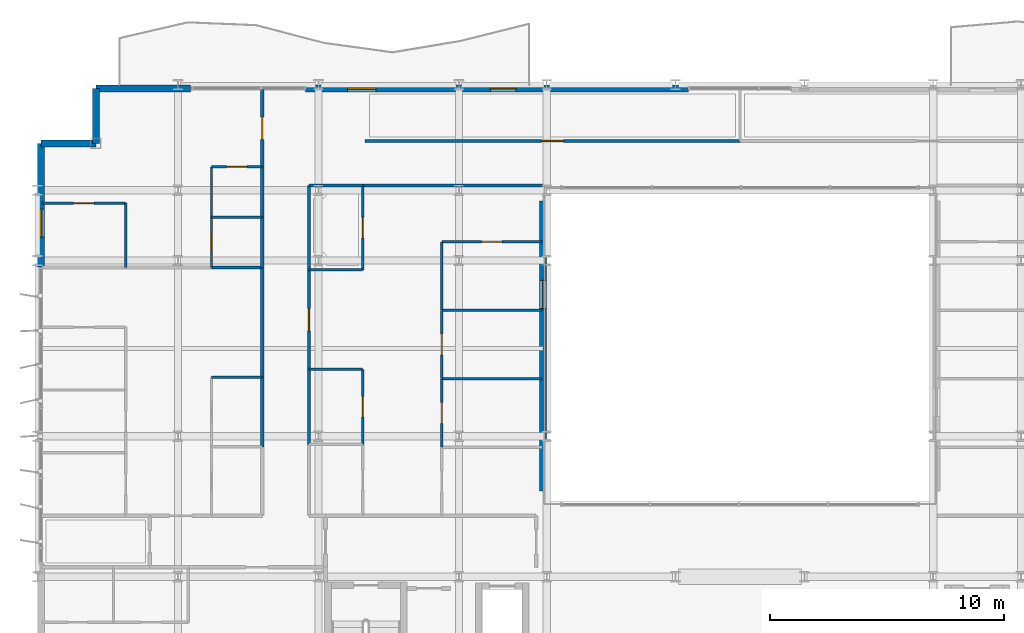
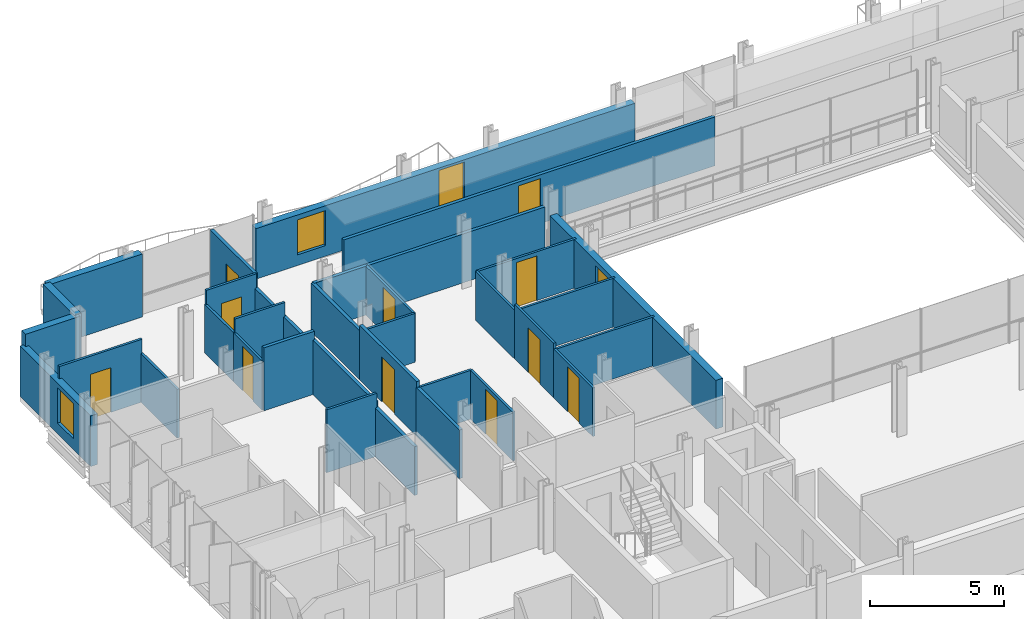
# One storey, part 29 of 38: 35 walls, 12 doors, 3 windows, 15 openings.
"""IFC4 building model written with IfcOpenShell, lengths in metres."""

import ifcopenshell
import ifcopenshell.guid

model = None  # the IFC model being written
_history = None  # IfcOwnerHistory: only IFC2X3 demands one
_inside = {}  # id of a spatial element -> (the spatial element, [elements in it])
_under = {}  # id of a project, library or spatial element -> (it, [spatial elements below it])
_declared = {}  # id of a project -> (the project, [libraries it declares])
_typed = {}  # id of a type object -> (the type object, [elements of that type])
_made_of = {}  # id of a material, layer set ... -> (it, [elements and type objects made of it])


def new_model(schema):
    """Start an empty IFC model of exactly this schema.

    Asked for "IFC4X3", IfcOpenShell would pick the latest addendum, in which some entities
    have other attributes; the version numbers below select the first issue.
    IFC2X3 requires an IfcOwnerHistory on every rooted entity: one is made here for all.
    """
    global model, _history
    if schema == "IFC4X3":
        model = ifcopenshell.file(schema_version=(4, 3, 0, 0))
    else:
        model = ifcopenshell.file(schema=schema)
    _inside.clear()
    _under.clear()
    _declared.clear()
    _typed.clear()
    _made_of.clear()
    _history = None
    if model.schema == "IFC2X3":
        org = make("IfcOrganization", Name="unknown")
        user = make(
            "IfcPersonAndOrganization",
            ThePerson=make("IfcPerson", FamilyName="unknown"),
            TheOrganization=org,
        )
        app = make(
            "IfcApplication",
            ApplicationDeveloper=org,
            Version="unknown",
            ApplicationFullName="unknown",
            ApplicationIdentifier="unknown",
        )
        _history = make(
            "IfcOwnerHistory",
            OwningUser=user,
            OwningApplication=app,
            ChangeAction="ADDED",
            CreationDate=0,
        )
    return model


def make(cls, **values):
    """One entity of the class cls with the attributes given. An attribute that is None is left unset."""
    return model.create_entity(
        cls, **{name: value for name, value in values.items() if value is not None}
    )


def rooted(cls, **values):
    """An entity with a GlobalId (a new one), such as an element, a storey or a relation."""
    return make(cls, GlobalId=ifcopenshell.guid.new(), OwnerHistory=_history, **values)


def si_unit(unit_type, name, prefix=None):
    """IfcSIUnit, for example si_unit("LENGTHUNIT", "METRE", prefix="MILLI")."""
    return make("IfcSIUnit", UnitType=unit_type, Prefix=prefix, Name=name)


def assignment(units):
    """IfcUnitAssignment: the units of a project."""
    return None if units is None else make("IfcUnitAssignment", Units=units)


def point(xyz):
    """IfcCartesianPoint."""
    return None if xyz is None else make("IfcCartesianPoint", Coordinates=xyz)


def direction(xyz):
    """IfcDirection."""
    return None if xyz is None else make("IfcDirection", DirectionRatios=xyz)


def frame(location, z_axis=None, x_axis=None):
    """IfcAxis2Placement3D, a coordinate frame: its origin and axes. An axis left out is left unset."""
    return make(
        "IfcAxis2Placement3D",
        Location=point(location),
        Axis=direction(z_axis),
        RefDirection=direction(x_axis),
    )


def frame_2d(location, x_axis=None):
    """IfcAxis2Placement2D, a coordinate frame in the plane: its origin and x axis."""
    return make(
        "IfcAxis2Placement2D", Location=point(location), RefDirection=direction(x_axis)
    )


def origin():
    """The frame at (0, 0, 0) with its axes left unset."""
    return frame((0.0, 0.0, 0.0))


def place(relative_to, where):
    """IfcLocalPlacement: puts the frame where relative to a parent placement (None: the world)."""
    return make(
        "IfcLocalPlacement", PlacementRelTo=relative_to, RelativePlacement=where
    )


def context(
    kind, dimensions, precision=None, world=None, true_north=None, identifier=None
):
    """IfcGeometricRepresentationContext, for example the 3D "Model" context."""
    return make(
        "IfcGeometricRepresentationContext",
        ContextIdentifier=identifier,
        ContextType=kind,
        CoordinateSpaceDimension=dimensions,
        Precision=precision,
        WorldCoordinateSystem=world,
        TrueNorth=true_north,
    )


def subcontext(parent, identifier, kind, view, scale=None):
    """IfcGeometricRepresentationSubContext, for example "Body" below "Model"."""
    return make(
        "IfcGeometricRepresentationSubContext",
        ContextIdentifier=identifier,
        ContextType=kind,
        ParentContext=parent,
        TargetScale=scale,
        TargetView=view,
    )


def project(units=None, contexts=None):
    """IfcProject with its units and contexts."""
    return rooted(
        "IfcProject",
        Name="project",
        RepresentationContexts=contexts,
        UnitsInContext=assignment(units),
    )


def spatial(cls, under=None, at=None, **own):
    """A site, building, storey or space (cls), placed at a placement, below another one or the project."""
    s = rooted(cls, ObjectPlacement=at, **own)
    if under is not None:
        _under.setdefault(under.id(), (under, []))[1].append(s)
    return s


def profile(cls, at=None, kind="AREA", **sizes):
    """A parametric profile (cls). Its sizes go by their IFC names, for example OverallWidth=200.0."""
    return make(cls, ProfileType=kind, Position=at, **sizes)


def rectangle(**sizes):
    """IfcRectangleProfileDef."""
    return profile("IfcRectangleProfileDef", **sizes)


def extrude(swept, where, along, depth):
    """IfcExtrudedAreaSolid: the profile swept, set in the frame where, extruded along a direction by depth."""
    return make(
        "IfcExtrudedAreaSolid",
        SweptArea=swept,
        Position=where,
        ExtrudedDirection=direction(along),
        Depth=depth,
    )


def shape(context_of_items, identifier, shape_type, items):
    """IfcShapeRepresentation: the items that make up one representation, for example the "Body"."""
    return make(
        "IfcShapeRepresentation",
        ContextOfItems=context_of_items,
        RepresentationIdentifier=identifier,
        RepresentationType=shape_type,
        Items=items,
    )


def material(Name=None, Category=None):
    """IfcMaterial."""
    return make("IfcMaterial", Name=Name, Category=Category)


def layer(
    of_material, thickness, ventilated=None, Name=None, Category=None, Priority=None
):
    """IfcMaterialLayer: one layer of a wall or slab, of a material (None: an air gap)."""
    return make(
        "IfcMaterialLayer",
        Material=of_material,
        LayerThickness=thickness,
        IsVentilated=ventilated,
        Name=Name,
        Category=Category,
        Priority=Priority,
    )


def layer_set(layers, Name=None):
    """IfcMaterialLayerSet."""
    return make("IfcMaterialLayerSet", MaterialLayers=layers, LayerSetName=Name)


def made_of(thing, what):
    """Note that an element or type object is made of a material, layer set ...; save() writes the relation."""
    if what is not None:
        _made_of.setdefault(what.id(), (what, []))[1].append(thing)
    return thing


def type_object(cls, material=None, **own):
    """A type object (cls), such as IfcWallType, which elements share."""
    return made_of(rooted(cls, **own), material)


def element(
    cls,
    number,
    at=None,
    inside=None,
    cuts=None,
    type_object=None,
    material=None,
    context=None,
    identifier="Body",
    shape_type=None,
    held_by="IfcProductDefinitionShape",
    body=None,
    shapes=None,
    **own,
):
    """One element of the class cls, such as IfcWall. Its Tag is "e" and its number.

    at: its placement. inside: the storey or other place that contains it. cuts: it is an
    opening in that element (IfcRelVoidsElement). A single representation is given by context,
    identifier, shape_type and body (its items); several are given by shapes. held_by: the class
    of the entity that holds the representations. save() writes the other relations.
    """
    e = rooted(cls, Tag="e%d" % number, ObjectPlacement=at, **own)
    if body is not None:
        shapes = [shape(context, identifier, shape_type, body)]
    if shapes is not None:
        e.Representation = make(held_by, Representations=shapes)
    if inside is not None:
        _inside.setdefault(inside.id(), (inside, []))[1].append(e)
    if cuts is not None:
        rooted(
            "IfcRelVoidsElement", RelatingBuildingElement=cuts, RelatedOpeningElement=e
        )
    if type_object is not None:
        _typed.setdefault(type_object.id(), (type_object, []))[1].append(e)
    return made_of(e, material)


def fill(opening, filler):
    """IfcRelFillsElement: the door or window that sits in an opening."""
    return rooted(
        "IfcRelFillsElement",
        RelatingOpeningElement=opening,
        RelatedBuildingElement=filler,
    )


def aggregate(whole, parts):
    """IfcRelAggregates: a whole, such as a stair, and the parts it consists of."""
    return rooted("IfcRelAggregates", RelatingObject=whole, RelatedObjects=parts)


def save(model, path):
    """Write the relations noted so far, then the file.

    IfcRelAggregates (storeys below a building ...), IfcRelContainedInSpatialStructure (elements
    in a storey), IfcRelDefinesByType, IfcRelAssociatesMaterial and IfcRelDeclares: one each for
    every whole, place, type object, material and project.
    """
    for whole, parts in _under.values():
        aggregate(whole, parts)
    for where, things in _inside.values():
        rooted(
            "IfcRelContainedInSpatialStructure",
            RelatedElements=things,
            RelatingStructure=where,
        )
    for kind, things in _typed.values():
        rooted("IfcRelDefinesByType", RelatedObjects=things, RelatingType=kind)
    for what, things in _made_of.values():
        rooted("IfcRelAssociatesMaterial", RelatedObjects=things, RelatingMaterial=what)
    for by, libraries in _declared.values():
        rooted("IfcRelDeclares", RelatingContext=by, RelatedDefinitions=libraries)
    model.write(path)


model = new_model("IFC4")

# Units and contexts
model_context = context("Model", 3, precision=1e-05, world=origin(), true_north=direction((0.0, 1.0)))
body_context = subcontext(model_context, "Body", "Model", "MODEL_VIEW")
ifc_project = project(units=[si_unit("LENGTHUNIT", "METRE"), si_unit("AREAUNIT", "SQUARE_METRE"), si_unit("VOLUMEUNIT", "CUBIC_METRE"), si_unit("PLANEANGLEUNIT", "RADIAN"), si_unit("MASSUNIT", "GRAM", prefix="KILO")], contexts=[model_context])

# Site, building, storey
site_placement = place(None, origin())
site = spatial("IfcSite", under=ifc_project, at=site_placement, CompositionType="ELEMENT")
building_placement = place(site_placement, origin())
building = spatial("IfcBuilding", under=site, at=building_placement, Name="Brevholm Reach", CompositionType="ELEMENT")
storey_placement = place(building_placement, frame((0.0, 0.0, 71.39990234375)))
storey = spatial("IfcBuildingStorey", under=building, at=storey_placement, Name="L20", CompositionType="ELEMENT", Elevation=71.39990234375)

# Walls
ifc_material_1 = material(Name="Concrete C40/50", Category="concrete")
ifc_layer_1 = layer(ifc_material_1, 0.300048828125)
ifc_layer_set_1 = layer_set([ifc_layer_1], Name="Concrete C40/50")
wall_type_1 = type_object("IfcWallType", Name="WAL-EXT-300", PredefinedType="STANDARD", material=ifc_layer_set_1)
for number, where, z_axis, x_axis, name in (
    (1, (2.5, 30.85009765625, 0.0), (0.0, 0.0, 1.0), (0.0, -1.0, 0.0), "L20 Facade Wall WAL-L20-CNW1"),
    (2, (2.5, 28.5, 0.0), (0.0, 0.0, 1.0), (-1.0, 0.0, 0.0), "L20 Facade Wall WAL-L20-CNW2"),
):
    element("IfcWall", number, at=place(storey_placement, frame(where, z_axis=z_axis, x_axis=x_axis)), inside=storey, type_object=wall_type_1, Name=name, PredefinedType="STANDARD", context=body_context, shape_type="SweptSolid", body=[
        extrude(rectangle(XDim=2.35009765625, YDim=0.300048828125, at=frame_2d((1.175048828125, 0.0))), origin(), (0.0, 0.0, 1.0), 2.8701171875),
    ])

# Wall, opening, window
wall_1_placement = place(storey_placement, frame((0.14990234375, 28.5, 0.0), z_axis=(0.0, 0.0, 1.0), x_axis=(0.0, -1.0, 0.0)))
wall_1 = element("IfcWall", 3, at=wall_1_placement, inside=storey, type_object=wall_type_1, Name="L20 Facade Wall WAL-L20-W-N", PredefinedType="STANDARD", context=body_context, shape_type="SweptSolid", body=[
    extrude(rectangle(XDim=5.280029296875, YDim=0.300048828125, at=frame_2d((2.64013671875, 0.0))), origin(), (0.0, 0.0, 1.0), 2.3056640625),
])
opening_1_placement = place(wall_1_placement, frame((2.800048828125, 0.0, 0.485107421875)))
opening_1 = element("IfcOpeningElement", 4, at=opening_1_placement, cuts=wall_1, Name="Opening WN-08", PredefinedType="OPENING", context=body_context, shape_type="SweptSolid", body=[
    extrude(rectangle(XDim=1.199951171875, YDim=1.60009765625, at=frame_2d((0.60009765625, 0.800048828125))), frame((0.0, 0.159912109375, 0.0), z_axis=(0.0, -1.0, 0.0), x_axis=(1.0, 0.0, 0.0)), (0.0, 0.0, 1.0), 0.320068359375),
])
ifc_material_2 = material(Name="Dark Anodised Aluminium and Solar-Control IGU Glass", Category="aluminium")
window_type = type_object("IfcWindowType", Name="WIN-RES-1200", PartitioningType="SINGLE_PANEL", PredefinedType="WINDOW", material=ifc_material_2)
window_1_placement = place(opening_1_placement, origin())
window_1 = element("IfcWindow", 5, at=window_1_placement, inside=storey, type_object=window_type, Name="L20 Window WIN-L20-WN-1", OverallHeight=1.60009765625, OverallWidth=1.199951171875, PartitioningType="SINGLE_PANEL", PredefinedType="WINDOW", context=body_context, shape_type="SweptSolid", body=[
    extrude(rectangle(XDim=1.199951171875, YDim=1.60009765625, at=frame_2d((0.60009765625, 0.800048828125))), frame((0.0, 0.030029296875, 0.0), z_axis=(0.0, -1.0, 0.0), x_axis=(1.0, 0.0, 0.0)), (0.0, 0.0, 1.0), 0.06005859375),
])
fill(opening_1, window_1)

# Wall
wall_2_placement = place(storey_placement, frame((2.5, 30.85009765625, 0.0), z_axis=(0.0, 0.0, 1.0), x_axis=(1.0, 0.0, 0.0)))
element("IfcWall", 6, at=wall_2_placement, inside=storey, type_object=wall_type_1, Name="L20 Facade Wall WAL-L20-NP-W0", PredefinedType="STANDARD", context=body_context, shape_type="SweptSolid", body=[
    extrude(rectangle(XDim=4.050048828125, YDim=0.300048828125, at=frame_2d((2.02490234375, 0.0))), origin(), (0.0, 0.0, 1.0), 2.8701171875),
])

# Wall, openings, door, window
wall_3_placement = place(storey_placement, frame((11.449951171875, 30.85009765625, 0.0), z_axis=(0.0, 0.0, 1.0), x_axis=(1.0, 0.0, 0.0)))
wall_3 = element("IfcWall", 7, at=wall_3_placement, inside=storey, type_object=wall_type_1, Name="L20 Facade Wall WAL-L20-NP-WL", PredefinedType="STANDARD", context=body_context, shape_type="SweptSolid", body=[
    extrude(rectangle(XDim=16.35009765625, YDim=0.300048828125, at=frame_2d((8.175048828125, 0.0))), origin(), (0.0, 0.0, 1.0), 2.3056640625),
])
opening_2_placement = place(wall_3_placement, frame((7.89794921875, 0.0, 0.0)))
opening_2 = element("IfcOpeningElement", 8, at=opening_2_placement, cuts=wall_3, Name="Opening BD-01", PredefinedType="OPENING", context=body_context, shape_type="SweptSolid", body=[
    extrude(rectangle(XDim=1.10009765625, YDim=2.199951171875, at=frame_2d((0.550048828125, 1.10009765625))), frame((0.0, 0.159912109375, 0.0), z_axis=(0.0, -1.0, 0.0), x_axis=(1.0, 0.0, 0.0)), (0.0, 0.0, 1.0), 0.320068359375),
])
opening_3_placement = place(wall_3_placement, frame((1.800048828125, 0.0, 0.485107421875)))
opening_3 = element("IfcOpeningElement", 9, at=opening_3_placement, cuts=wall_3, Name="Opening WN-08", PredefinedType="OPENING", context=body_context, shape_type="SweptSolid", body=[
    extrude(rectangle(XDim=1.199951171875, YDim=1.60009765625, at=frame_2d((0.60009765625, 0.800048828125))), frame((0.0, 0.159912109375, 0.0), z_axis=(0.0, -1.0, 0.0), x_axis=(1.0, 0.0, 0.0)), (0.0, 0.0, 1.0), 0.320068359375),
])
ifc_material_3 = material(Name="Dark Anodised Aluminium and Triple-Glazed Glass", Category="aluminium")
door_type_1 = type_object("IfcDoorType", Name="DOR-BALC-1100", OperationType="NOTDEFINED", PredefinedType="DOOR", material=ifc_material_3)
door_1_placement = place(opening_2_placement, origin())
door_1 = element("IfcDoor", 10, at=door_1_placement, inside=storey, type_object=door_type_1, Name="L20 Exterior Door DOR-L20-BL-NW", OperationType="SINGLE_SWING_LEFT", OverallHeight=2.199951171875, OverallWidth=1.10009765625, PredefinedType="DOOR", context=body_context, shape_type="SweptSolid", body=[
    extrude(rectangle(XDim=1.10009765625, YDim=2.199951171875, at=frame_2d((0.550048828125, 1.10009765625))), frame((0.0, 0.02490234375, 0.0), z_axis=(0.0, -1.0, 0.0), x_axis=(1.0, 0.0, 0.0)), (0.0, 0.0, 1.0), 0.050048828125),
])
fill(opening_2, door_1)
window_2_placement = place(opening_3_placement, origin())
window_2 = element("IfcWindow", 11, at=window_2_placement, inside=storey, type_object=window_type, Name="L20 Window WIN-L20-NP-WL1", OverallHeight=1.60009765625, OverallWidth=1.199951171875, PartitioningType="SINGLE_PANEL", PredefinedType="WINDOW", context=body_context, shape_type="SweptSolid", body=[
    extrude(rectangle(XDim=1.199951171875, YDim=1.60009765625, at=frame_2d((0.60009765625, 0.800048828125))), frame((0.0, 0.030029296875, 0.0), z_axis=(0.0, -1.0, 0.0), x_axis=(1.0, 0.0, 0.0)), (0.0, 0.0, 1.0), 0.06005859375),
])
fill(opening_3, window_2)

# Wall, opening, window
wall_4_placement = place(storey_placement, frame((21.60009765625, 26.050048828125, 0.0), z_axis=(0.0, 0.0, 1.0), x_axis=(0.0, -1.0, 0.0)))
wall_4 = element("IfcWall", 12, at=wall_4_placement, inside=storey, type_object=wall_type_1, Name="L20 Facade Wall WAL-L20-AT-W", PredefinedType="STANDARD", context=body_context, shape_type="SweptSolid", body=[
    extrude(rectangle(XDim=12.400146484375, YDim=0.300048828125, at=frame_2d((6.2001953125, 0.0))), origin(), (0.0, 0.0, 1.0), 2.224853515625),
])
opening_4_placement = place(wall_4_placement, frame((3.39990234375, 0.0, 0.405029296875)))
opening_4 = element("IfcOpeningElement", 13, at=opening_4_placement, cuts=wall_4, Name="Opening WN-08", PredefinedType="OPENING", context=body_context, shape_type="SweptSolid", body=[
    extrude(rectangle(XDim=1.199951171875, YDim=1.60009765625, at=frame_2d((0.60009765625, 0.800048828125))), frame((0.0, 0.159912109375, 0.0), z_axis=(0.0, -1.0, 0.0), x_axis=(1.0, 0.0, 0.0)), (0.0, 0.0, 1.0), 0.320068359375),
])
window_3_placement = place(opening_4_placement, origin())
window_3 = element("IfcWindow", 14, at=window_3_placement, inside=storey, type_object=window_type, Name="L20 Window WIN-L20-AT-W1", OverallHeight=1.60009765625, OverallWidth=1.199951171875, PartitioningType="SINGLE_PANEL", PredefinedType="WINDOW", context=body_context, shape_type="SweptSolid", body=[
    extrude(rectangle(XDim=1.199951171875, YDim=1.60009765625, at=frame_2d((0.60009765625, 0.800048828125))), frame((0.0, 0.030029296875, 0.0), z_axis=(0.0, -1.0, 0.0), x_axis=(1.0, 0.0, 0.0)), (0.0, 0.0, 1.0), 0.06005859375),
])
fill(opening_4, window_3)

# Walls
ifc_material_4 = material(Name="Moisture-Resistant Acoustic Gypsum Stud Partition 100 mm", Category="gypsum")
ifc_layer_2 = layer(ifc_material_4, 0.10009765625)
ifc_layer_set_2 = layer_set([ifc_layer_2], Name="Moisture-Resistant Acoustic Gypsum Stud Partition 100 mm")
wall_type_2 = type_object("IfcWallType", Name="WAL-PRT-100", PredefinedType="PARTITIONING", material=ifc_layer_set_2)
for number, where, z_axis, x_axis, name in (
    (15, (7.43798828125, 18.510009765625, 0.0), (0.0, 0.0, 1.0), (1.0, 0.0, 0.0), "L20 Internal Partition 089"),
    (16, (7.43798828125, 25.35009765625, 0.0), (0.0, 0.0, 1.0), (1.0, 0.0, 0.0), "L20 Internal Partition 100"),
):
    element("IfcWall", number, at=place(storey_placement, frame(where, z_axis=z_axis, x_axis=x_axis)), inside=storey, type_object=wall_type_2, Name=name, PredefinedType="PARTITIONING", context=body_context, shape_type="SweptSolid", body=[
        extrude(rectangle(XDim=2.157958984375, YDim=0.10009765625, at=frame_2d((1.0791015625, 0.0))), origin(), (0.0, 0.0, 1.0), 2.8701171875),
    ])

# Wall, opening, door
wall_5_placement = place(storey_placement, frame((7.43798828125, 23.2041015625, 0.0), z_axis=(0.0, 0.0, 1.0), x_axis=(0.0, 1.0, 0.0)))
wall_5 = element("IfcWall", 17, at=wall_5_placement, inside=storey, type_object=wall_type_2, Name="L20 Internal Partition 101", PredefinedType="PARTITIONING", context=body_context, shape_type="SweptSolid", body=[
    extrude(rectangle(XDim=2.14599609375, YDim=0.10009765625, at=frame_2d((1.072998046875, 0.0))), origin(), (0.0, 0.0, 1.0), 2.224853515625),
])
opening_5_placement = place(wall_5_placement, frame((0.6630859375, 0.0, 0.0)))
opening_5 = element("IfcOpeningElement", 18, at=opening_5_placement, cuts=wall_5, Name="Opening ID-03", PredefinedType="OPENING", context=body_context, shape_type="SweptSolid", body=[
    extrude(rectangle(XDim=0.820068359375, YDim=2.02001953125, at=frame_2d((0.41015625, 1.010009765625))), frame((0.0, 0.06005859375, 0.0), z_axis=(0.0, -1.0, 0.0), x_axis=(1.0, 0.0, 0.0)), (0.0, 0.0, 1.0), 0.1201171875),
])
ifc_material_5 = material(Name="Moisture-Resistant Painted Timber Internal Bathroom Door", Category="wood")
door_type_2 = type_object("IfcDoorType", Name="DOR-BATH-820", OperationType="NOTDEFINED", PredefinedType="DOOR", material=ifc_material_5)
door_2_placement = place(opening_5_placement, origin())
door_2 = element("IfcDoor", 19, at=door_2_placement, inside=storey, type_object=door_type_2, Name="L20 Internal Door 035", OperationType="SINGLE_SWING_RIGHT", OverallHeight=2.02001953125, OverallWidth=0.820068359375, PredefinedType="DOOR", context=body_context, shape_type="SweptSolid", body=[
    extrude(rectangle(XDim=0.820068359375, YDim=2.02001953125, at=frame_2d((0.41015625, 1.010009765625))), frame((0.0, 0.02490234375, 0.0), z_axis=(0.0, -1.0, 0.0), x_axis=(1.0, 0.0, 0.0)), (0.0, 0.0, 1.0), 0.050048828125),
])
fill(opening_5, door_2)

wall_6_placement = place(storey_placement, frame((7.43798828125, 27.5, 0.0), z_axis=(0.0, 0.0, 1.0), x_axis=(1.0, 0.0, 0.0)))
wall_6 = element("IfcWall", 20, at=wall_6_placement, inside=storey, type_object=wall_type_2, Name="L20 Internal Partition 102", PredefinedType="PARTITIONING", context=body_context, shape_type="SweptSolid", body=[
    extrude(rectangle(XDim=2.157958984375, YDim=0.10009765625, at=frame_2d((1.0791015625, 0.0))), origin(), (0.0, 0.0, 1.0), 2.8701171875),
])
opening_6_placement = place(wall_6_placement, frame((0.638916015625, 0.0, 0.0)))
opening_6 = element("IfcOpeningElement", 21, at=opening_6_placement, cuts=wall_6, Name="Opening ID-01", PredefinedType="OPENING", context=body_context, shape_type="SweptSolid", body=[
    extrude(rectangle(XDim=0.8798828125, YDim=2.0400390625, at=frame_2d((0.43994140625, 1.02001953125))), frame((0.0, 0.06005859375, 0.0), z_axis=(0.0, -1.0, 0.0), x_axis=(1.0, 0.0, 0.0)), (0.0, 0.0, 1.0), 0.1201171875),
])
ifc_material_6 = material(Name="Lacquered Ash Solid-Core Acoustic Internal Door", Category="timber")
door_type_3 = type_object("IfcDoorType", Name="DOR-INT-880", OperationType="NOTDEFINED", PredefinedType="DOOR", material=ifc_material_6)
door_3_placement = place(opening_6_placement, origin())
door_3 = element("IfcDoor", 22, at=door_3_placement, inside=storey, type_object=door_type_3, Name="L20 Internal Door 036", OperationType="SINGLE_SWING_LEFT", OverallHeight=2.0400390625, OverallWidth=0.8798828125, PredefinedType="DOOR", context=body_context, shape_type="SweptSolid", body=[
    extrude(rectangle(XDim=0.8798828125, YDim=2.0400390625, at=frame_2d((0.43994140625, 1.02001953125))), frame((0.0, 0.02490234375, 0.0), z_axis=(0.0, -1.0, 0.0), x_axis=(1.0, 0.0, 0.0)), (0.0, 0.0, 1.0), 0.050048828125),
])
fill(opening_6, door_3)

# Walls
wall_7_placement = place(storey_placement, frame((7.43798828125, 25.35400390625, 0.0), z_axis=(0.0, 0.0, 1.0), x_axis=(0.0, 1.0, 0.0)))
element("IfcWall", 23, at=wall_7_placement, inside=storey, type_object=wall_type_2, Name="L20 Internal Partition 103", PredefinedType="PARTITIONING", context=body_context, shape_type="SweptSolid", body=[
    extrude(rectangle(XDim=2.14599609375, YDim=0.10009765625, at=frame_2d((1.072998046875, 0.0))), origin(), (0.0, 0.0, 1.0), 2.224853515625),
])
wall_8_placement = place(storey_placement, frame((3.77197265625, 23.2041015625, 0.0), z_axis=(0.0, 0.0, 1.0), x_axis=(0.0, 1.0, 0.0)))
element("IfcWall", 24, at=wall_8_placement, inside=storey, type_object=wall_type_2, Name="L20 Internal Partition 104", PredefinedType="PARTITIONING", context=body_context, shape_type="SweptSolid", body=[
    extrude(rectangle(XDim=2.745849609375, YDim=0.10009765625, at=frame_2d((1.373046875, 0.0))), origin(), (0.0, 0.0, 1.0), 2.224853515625),
])

# Wall, opening, door
wall_9_placement = place(storey_placement, frame((0.199951171875, 25.949951171875, 0.0), z_axis=(0.0, 0.0, 1.0), x_axis=(1.0, 0.0, 0.0)))
wall_9 = element("IfcWall", 25, at=wall_9_placement, inside=storey, type_object=wall_type_2, Name="L20 Internal Partition 105", PredefinedType="PARTITIONING", context=body_context, shape_type="SweptSolid", body=[
    extrude(rectangle(XDim=3.572021484375, YDim=0.10009765625, at=frame_2d((1.7861328125, 0.0))), origin(), (0.0, 0.0, 1.0), 2.8701171875),
])
opening_7_placement = place(wall_9_placement, frame((1.345947265625, 0.0, 0.0)))
opening_7 = element("IfcOpeningElement", 26, at=opening_7_placement, cuts=wall_9, Name="Opening ID-01", PredefinedType="OPENING", context=body_context, shape_type="SweptSolid", body=[
    extrude(rectangle(XDim=0.8798828125, YDim=2.0400390625, at=frame_2d((0.43994140625, 1.02001953125))), frame((0.0, 0.06005859375, 0.0), z_axis=(0.0, -1.0, 0.0), x_axis=(1.0, 0.0, 0.0)), (0.0, 0.0, 1.0), 0.1201171875),
])
door_4_placement = place(opening_7_placement, origin())
door_4 = element("IfcDoor", 27, at=door_4_placement, inside=storey, type_object=door_type_3, Name="L20 Internal Door 037", OperationType="SINGLE_SWING_RIGHT", OverallHeight=2.0400390625, OverallWidth=0.8798828125, PredefinedType="DOOR", context=body_context, shape_type="SweptSolid", body=[
    extrude(rectangle(XDim=0.8798828125, YDim=2.0400390625, at=frame_2d((0.43994140625, 1.02001953125))), frame((0.0, 0.02490234375, 0.0), z_axis=(0.0, -1.0, 0.0), x_axis=(1.0, 0.0, 0.0)), (0.0, 0.0, 1.0), 0.050048828125),
])
fill(opening_7, door_4)

wall_10_placement = place(storey_placement, frame((13.888916015625, 15.654052734375, 0.0), z_axis=(0.0, 0.0, 1.0), x_axis=(0.0, 1.0, 0.0)))
wall_10 = element("IfcWall", 28, at=wall_10_placement, inside=storey, type_object=wall_type_2, Name="L20 Internal Partition 108", PredefinedType="PARTITIONING", context=body_context, shape_type="SweptSolid", body=[
    extrude(rectangle(XDim=3.196044921875, YDim=0.10009765625, at=frame_2d((1.59814453125, 0.0))), origin(), (0.0, 0.0, 1.0), 2.224853515625),
])
opening_8_placement = place(wall_10_placement, frame((1.157958984375, 0.0, 0.0)))
opening_8 = element("IfcOpeningElement", 29, at=opening_8_placement, cuts=wall_10, Name="Opening ID-01", PredefinedType="OPENING", context=body_context, shape_type="SweptSolid", body=[
    extrude(rectangle(XDim=0.8798828125, YDim=2.0400390625, at=frame_2d((0.43994140625, 1.02001953125))), frame((0.0, 0.06005859375, 0.0), z_axis=(0.0, -1.0, 0.0), x_axis=(1.0, 0.0, 0.0)), (0.0, 0.0, 1.0), 0.1201171875),
])
door_5_placement = place(opening_8_placement, origin())
door_5 = element("IfcDoor", 30, at=door_5_placement, inside=storey, type_object=door_type_3, Name="L20 Internal Door 039", OperationType="SINGLE_SWING_RIGHT", OverallHeight=2.0400390625, OverallWidth=0.8798828125, PredefinedType="DOOR", context=body_context, shape_type="SweptSolid", body=[
    extrude(rectangle(XDim=0.8798828125, YDim=2.0400390625, at=frame_2d((0.43994140625, 1.02001953125))), frame((0.0, 0.02490234375, 0.0), z_axis=(0.0, -1.0, 0.0), x_axis=(1.0, 0.0, 0.0)), (0.0, 0.0, 1.0), 0.050048828125),
])
fill(opening_8, door_5)

# Walls
for number, where, z_axis, x_axis, name in (
    (31, (11.60400390625, 18.85009765625, 0.0), (0.0, 0.0, 1.0), (1.0, 0.0, 0.0), "L20 Internal Partition 109"),
    (32, (11.60400390625, 23.10009765625, 0.0), (0.0, 0.0, 1.0), (1.0, 0.0, 0.0), "L20 Internal Partition 110"),
):
    element("IfcWall", number, at=place(storey_placement, frame(where, z_axis=z_axis, x_axis=x_axis)), inside=storey, type_object=wall_type_2, Name=name, PredefinedType="PARTITIONING", context=body_context, shape_type="SweptSolid", body=[
        extrude(rectangle(XDim=2.284912109375, YDim=0.10009765625, at=frame_2d((1.142578125, 0.0))), origin(), (0.0, 0.0, 1.0), 2.224853515625),
    ])

# Wall, opening, door
wall_11_placement = place(storey_placement, frame((13.888916015625, 23.10009765625, 0.0), z_axis=(0.0, 0.0, 1.0), x_axis=(0.0, 1.0, 0.0)))
wall_11 = element("IfcWall", 33, at=wall_11_placement, inside=storey, type_object=wall_type_2, Name="L20 Internal Partition 111", PredefinedType="PARTITIONING", context=body_context, shape_type="SweptSolid", body=[
    extrude(rectangle(XDim=3.595947265625, YDim=0.10009765625, at=frame_2d((1.7978515625, 0.0))), origin(), (0.0, 0.0, 1.0), 2.224853515625),
])
opening_9_placement = place(wall_11_placement, frame((1.35791015625, 0.0, 0.0)))
opening_9 = element("IfcOpeningElement", 34, at=opening_9_placement, cuts=wall_11, Name="Opening ID-01", PredefinedType="OPENING", context=body_context, shape_type="SweptSolid", body=[
    extrude(rectangle(XDim=0.8798828125, YDim=2.0400390625, at=frame_2d((0.43994140625, 1.02001953125))), frame((0.0, 0.06005859375, 0.0), z_axis=(0.0, -1.0, 0.0), x_axis=(1.0, 0.0, 0.0)), (0.0, 0.0, 1.0), 0.1201171875),
])
door_6_placement = place(opening_9_placement, origin())
door_6 = element("IfcDoor", 35, at=door_6_placement, inside=storey, type_object=door_type_3, Name="L20 Internal Door 040", OperationType="SINGLE_SWING_LEFT", OverallHeight=2.0400390625, OverallWidth=0.8798828125, PredefinedType="DOOR", context=body_context, shape_type="SweptSolid", body=[
    extrude(rectangle(XDim=0.8798828125, YDim=2.0400390625, at=frame_2d((0.43994140625, 1.02001953125))), frame((0.0, 0.02490234375, 0.0), z_axis=(0.0, -1.0, 0.0), x_axis=(1.0, 0.0, 0.0)), (0.0, 0.0, 1.0), 0.050048828125),
])
fill(opening_9, door_6)

# Wall
wall_12_placement = place(storey_placement, frame((17.27099609375, 18.449951171875, 0.0), z_axis=(0.0, 0.0, 1.0), x_axis=(1.0, 0.0, 0.0)))
element("IfcWall", 36, at=wall_12_placement, inside=storey, type_object=wall_type_2, Name="L20 Internal Partition 114", PredefinedType="PARTITIONING", context=body_context, shape_type="SweptSolid", body=[
    extrude(rectangle(XDim=4.279052734375, YDim=0.10009765625, at=frame_2d((2.1396484375, 0.0))), origin(), (0.0, 0.0, 1.0), 2.224853515625),
])

# Wall, opening, door
wall_13_placement = place(storey_placement, frame((17.27099609375, 15.529052734375, 0.0), z_axis=(0.0, 0.0, 1.0), x_axis=(0.0, 1.0, 0.0)))
wall_13 = element("IfcWall", 37, at=wall_13_placement, inside=storey, type_object=wall_type_2, Name="L20 Internal Partition 115", PredefinedType="PARTITIONING", context=body_context, shape_type="SweptSolid", body=[
    extrude(rectangle(XDim=2.9208984375, YDim=0.10009765625, at=frame_2d((1.46044921875, 0.0))), origin(), (0.0, 0.0, 1.0), 2.224853515625),
])
opening_10_placement = place(wall_13_placement, frame((1.0205078125, 0.0, 0.0)))
opening_10 = element("IfcOpeningElement", 38, at=opening_10_placement, cuts=wall_13, Name="Opening ID-01", PredefinedType="OPENING", context=body_context, shape_type="SweptSolid", body=[
    extrude(rectangle(XDim=0.8798828125, YDim=2.0400390625, at=frame_2d((0.43994140625, 1.02001953125))), frame((0.0, 0.06005859375, 0.0), z_axis=(0.0, -1.0, 0.0), x_axis=(1.0, 0.0, 0.0)), (0.0, 0.0, 1.0), 0.1201171875),
])
door_7_placement = place(opening_10_placement, origin())
door_7 = element("IfcDoor", 39, at=door_7_placement, inside=storey, type_object=door_type_3, Name="L20 Internal Door 042", OperationType="SINGLE_SWING_LEFT", OverallHeight=2.0400390625, OverallWidth=0.8798828125, PredefinedType="DOOR", context=body_context, shape_type="SweptSolid", body=[
    extrude(rectangle(XDim=0.8798828125, YDim=2.0400390625, at=frame_2d((0.43994140625, 1.02001953125))), frame((0.0, 0.02490234375, 0.0), z_axis=(0.0, -1.0, 0.0), x_axis=(1.0, 0.0, 0.0)), (0.0, 0.0, 1.0), 0.050048828125),
])
fill(opening_10, door_7)

# Wall
wall_14_placement = place(storey_placement, frame((17.27099609375, 21.375, 0.0), z_axis=(0.0, 0.0, 1.0), x_axis=(1.0, 0.0, 0.0)))
element("IfcWall", 40, at=wall_14_placement, inside=storey, type_object=wall_type_2, Name="L20 Internal Partition 116", PredefinedType="PARTITIONING", context=body_context, shape_type="SweptSolid", body=[
    extrude(rectangle(XDim=4.279052734375, YDim=0.10009765625, at=frame_2d((2.1396484375, 0.0))), origin(), (0.0, 0.0, 1.0), 2.224853515625),
])

# Wall, opening, door
wall_15_placement = place(storey_placement, frame((17.27099609375, 18.4541015625, 0.0), z_axis=(0.0, 0.0, 1.0), x_axis=(0.0, 1.0, 0.0)))
wall_15 = element("IfcWall", 41, at=wall_15_placement, inside=storey, type_object=wall_type_2, Name="L20 Internal Partition 117", PredefinedType="PARTITIONING", context=body_context, shape_type="SweptSolid", body=[
    extrude(rectangle(XDim=2.9208984375, YDim=0.10009765625, at=frame_2d((1.46044921875, 0.0))), origin(), (0.0, 0.0, 1.0), 2.489990234375),
])
opening_11_placement = place(wall_15_placement, frame((1.0205078125, 0.0, 0.0)))
opening_11 = element("IfcOpeningElement", 42, at=opening_11_placement, cuts=wall_15, Name="Opening ID-01", PredefinedType="OPENING", context=body_context, shape_type="SweptSolid", body=[
    extrude(rectangle(XDim=0.8798828125, YDim=2.0400390625, at=frame_2d((0.43994140625, 1.02001953125))), frame((0.0, 0.06005859375, 0.0), z_axis=(0.0, -1.0, 0.0), x_axis=(1.0, 0.0, 0.0)), (0.0, 0.0, 1.0), 0.1201171875),
])
door_8_placement = place(opening_11_placement, origin())
door_8 = element("IfcDoor", 43, at=door_8_placement, inside=storey, type_object=door_type_3, Name="L20 Internal Door 043", OperationType="SINGLE_SWING_RIGHT", OverallHeight=2.0400390625, OverallWidth=0.8798828125, PredefinedType="DOOR", context=body_context, shape_type="SweptSolid", body=[
    extrude(rectangle(XDim=0.8798828125, YDim=2.0400390625, at=frame_2d((0.43994140625, 1.02001953125))), frame((0.0, 0.02490234375, 0.0), z_axis=(0.0, -1.0, 0.0), x_axis=(1.0, 0.0, 0.0)), (0.0, 0.0, 1.0), 0.050048828125),
])
fill(opening_11, door_8)

wall_16_placement = place(storey_placement, frame((17.27099609375, 24.300048828125, 0.0), z_axis=(0.0, 0.0, 1.0), x_axis=(1.0, 0.0, 0.0)))
wall_16 = element("IfcWall", 44, at=wall_16_placement, inside=storey, type_object=wall_type_2, Name="L20 Internal Partition 118", PredefinedType="PARTITIONING", context=body_context, shape_type="SweptSolid", body=[
    extrude(rectangle(XDim=4.279052734375, YDim=0.10009765625, at=frame_2d((2.1396484375, 0.0))), origin(), (0.0, 0.0, 1.0), 2.224853515625),
])
opening_12_placement = place(wall_16_placement, frame((1.699462890625, 0.0, 0.0)))
opening_12 = element("IfcOpeningElement", 45, at=opening_12_placement, cuts=wall_16, Name="Opening ID-01", PredefinedType="OPENING", context=body_context, shape_type="SweptSolid", body=[
    extrude(rectangle(XDim=0.8798828125, YDim=2.0400390625, at=frame_2d((0.43994140625, 1.02001953125))), frame((0.0, 0.06005859375, 0.0), z_axis=(0.0, -1.0, 0.0), x_axis=(1.0, 0.0, 0.0)), (0.0, 0.0, 1.0), 0.1201171875),
])
door_9_placement = place(opening_12_placement, origin())
door_9 = element("IfcDoor", 46, at=door_9_placement, inside=storey, type_object=door_type_3, Name="L20 Internal Door 044", OperationType="SINGLE_SWING_LEFT", OverallHeight=2.0400390625, OverallWidth=0.8798828125, PredefinedType="DOOR", context=body_context, shape_type="SweptSolid", body=[
    extrude(rectangle(XDim=0.8798828125, YDim=2.0400390625, at=frame_2d((0.43994140625, 1.02001953125))), frame((0.0, 0.02490234375, 0.0), z_axis=(0.0, -1.0, 0.0), x_axis=(1.0, 0.0, 0.0)), (0.0, 0.0, 1.0), 0.050048828125),
])
fill(opening_12, door_9)

# Walls
wall_17_placement = place(storey_placement, frame((17.27099609375, 21.37890625, 0.0), z_axis=(0.0, 0.0, 1.0), x_axis=(0.0, 1.0, 0.0)))
element("IfcWall", 47, at=wall_17_placement, inside=storey, type_object=wall_type_2, Name="L20 Internal Partition 119", PredefinedType="PARTITIONING", context=body_context, shape_type="SweptSolid", body=[
    extrude(rectangle(XDim=2.921142578125, YDim=0.10009765625, at=frame_2d((1.46044921875, 0.0))), origin(), (0.0, 0.0, 1.0), 2.224853515625),
])
ifc_material_7 = material(Name="Twin-Stud Acoustic Fire-Rated Gypsum Partition 140 mm", Category="gypsum")
ifc_layer_3 = layer(ifc_material_7, 0.139892578125)
ifc_layer_set_3 = layer_set([ifc_layer_3], Name="Twin-Stud Acoustic Fire-Rated Gypsum Partition 140 mm")
wall_type_3 = type_object("IfcWallType", Name="WAL-PRT-140", PredefinedType="PARTITIONING", material=ifc_layer_set_3)
wall_18_placement = place(storey_placement, frame((9.60009765625, 15.53466796875, 0.0), z_axis=(0.0, 0.0, 1.0), x_axis=(0.0, 1.0, 0.0)))
element("IfcWall", 48, at=wall_18_placement, inside=storey, type_object=wall_type_3, Name="L20 Internal Partition 035", PredefinedType="PARTITIONING", context=body_context, shape_type="SweptSolid", body=[
    extrude(rectangle(XDim=2.986572265625, YDim=0.139892578125, at=frame_2d((1.4931640625, 0.0))), origin(), (0.0, 0.0, 1.0), 2.224853515625),
])
wall_19_placement = place(storey_placement, frame((9.60009765625, 18.502685546875, 0.0), z_axis=(0.0, 0.0, 1.0), x_axis=(0.0, 1.0, 0.0)))
element("IfcWall", 49, at=wall_19_placement, inside=storey, type_object=wall_type_3, Name="L20 Internal Partition 036", PredefinedType="PARTITIONING", context=body_context, shape_type="SweptSolid", body=[
    extrude(rectangle(XDim=4.70849609375, YDim=0.139892578125, at=frame_2d((2.354248046875, 0.0))), origin(), (0.0, 0.0, 1.0), 2.489990234375),
])
wall_20_placement = place(storey_placement, frame((9.60009765625, 23.192626953125, 0.0), z_axis=(0.0, 0.0, 1.0), x_axis=(0.0, 1.0, 0.0)))
element("IfcWall", 50, at=wall_20_placement, inside=storey, type_object=wall_type_3, Name="L20 Internal Partition 037", PredefinedType="PARTITIONING", context=body_context, shape_type="SweptSolid", body=[
    extrude(rectangle(XDim=2.168701171875, YDim=0.139892578125, at=frame_2d((1.08447265625, 0.0))), origin(), (0.0, 0.0, 1.0), 2.224853515625),
])
wall_21_placement = place(storey_placement, frame((9.60009765625, 25.3427734375, 0.0), z_axis=(0.0, 0.0, 1.0), x_axis=(0.0, 1.0, 0.0)))
element("IfcWall", 51, at=wall_21_placement, inside=storey, type_object=wall_type_3, Name="L20 Internal Partition 038", PredefinedType="PARTITIONING", context=body_context, shape_type="SweptSolid", body=[
    extrude(rectangle(XDim=2.16845703125, YDim=0.139892578125, at=frame_2d((1.084228515625, 0.0))), origin(), (0.0, 0.0, 1.0), 2.224853515625),
])

# Wall, opening, door
wall_22_placement = place(storey_placement, frame((9.60009765625, 27.49267578125, 0.0), z_axis=(0.0, 0.0, 1.0), x_axis=(0.0, 1.0, 0.0)))
wall_22 = element("IfcWall", 52, at=wall_22_placement, inside=storey, type_object=wall_type_3, Name="L20 Internal Partition 039", PredefinedType="PARTITIONING", context=body_context, shape_type="SweptSolid", body=[
    extrude(rectangle(XDim=3.307373046875, YDim=0.139892578125, at=frame_2d((1.65380859375, 0.0))), origin(), (0.0, 0.0, 1.0), 2.8701171875),
])
opening_13_placement = place(wall_22_placement, frame((1.1787109375, 0.0, 0.0)))
opening_13 = element("IfcOpeningElement", 53, at=opening_13_placement, cuts=wall_22, Name="Opening ID-30", PredefinedType="OPENING", context=body_context, shape_type="SweptSolid", body=[
    extrude(rectangle(XDim=0.949951171875, YDim=2.050048828125, at=frame_2d((0.47509765625, 1.02490234375))), frame((0.0, 0.079833984375, 0.0), z_axis=(0.0, -1.0, 0.0), x_axis=(1.0, 0.0, 0.0)), (0.0, 0.0, 1.0), 0.159912109375),
])
ifc_material_8 = material(Name="European Oak Veneered Solid-Core Fire Entrance Door", Category="timber")
door_type_4 = type_object("IfcDoorType", Name="DOR-FLT-FD30S", OperationType="NOTDEFINED", PredefinedType="DOOR", material=ifc_material_8)
door_10_placement = place(opening_13_placement, origin())
door_10 = element("IfcDoor", 54, at=door_10_placement, inside=storey, type_object=door_type_4, Name="L20 Internal Door 015", OperationType="SINGLE_SWING_RIGHT", OverallHeight=2.050048828125, OverallWidth=0.949951171875, PredefinedType="DOOR", context=body_context, shape_type="SweptSolid", body=[
    extrude(rectangle(XDim=0.949951171875, YDim=2.050048828125, at=frame_2d((0.47509765625, 1.02490234375))), frame((0.0, 0.02490234375, 0.0), z_axis=(0.0, -1.0, 0.0), x_axis=(1.0, 0.0, 0.0)), (0.0, 0.0, 1.0), 0.050048828125),
])
fill(opening_13, door_10)

# Walls
wall_23_placement = place(storey_placement, frame((11.60009765625, 15.642578125, 0.0), z_axis=(0.0, 0.0, 1.0), x_axis=(0.0, 1.0, 0.0)))
element("IfcWall", 55, at=wall_23_placement, inside=storey, type_object=wall_type_3, Name="L20 Internal Partition 041", PredefinedType="PARTITIONING", context=body_context, shape_type="SweptSolid", body=[
    extrude(rectangle(XDim=3.21875, YDim=0.139892578125, at=frame_2d((1.609375, 0.0))), origin(), (0.0, 0.0, 1.0), 2.224853515625),
])
wall_24_placement = place(storey_placement, frame((11.60009765625, 23.088623046875, 0.0), z_axis=(0.0, 0.0, 1.0), x_axis=(0.0, 1.0, 0.0)))
element("IfcWall", 56, at=wall_24_placement, inside=storey, type_object=wall_type_3, Name="L20 Internal Partition 042", PredefinedType="PARTITIONING", context=body_context, shape_type="SweptSolid", body=[
    extrude(rectangle(XDim=3.61865234375, YDim=0.139892578125, at=frame_2d((1.809326171875, 0.0))), origin(), (0.0, 0.0, 1.0), 2.224853515625),
])

# Wall, opening, door
wall_25_placement = place(storey_placement, frame((11.60009765625, 18.8427734375, 0.0), z_axis=(0.0, 0.0, 1.0), x_axis=(0.0, 1.0, 0.0)))
wall_25 = element("IfcWall", 57, at=wall_25_placement, inside=storey, type_object=wall_type_3, Name="L20 Internal Partition 043", PredefinedType="PARTITIONING", context=body_context, shape_type="SweptSolid", body=[
    extrude(rectangle(XDim=4.2646484375, YDim=0.139892578125, at=frame_2d((2.13232421875, 0.0))), origin(), (0.0, 0.0, 1.0), 2.489990234375),
])
opening_14_placement = place(wall_25_placement, frame((1.6572265625, 0.0, 0.0)))
opening_14 = element("IfcOpeningElement", 58, at=opening_14_placement, cuts=wall_25, Name="Opening ID-30", PredefinedType="OPENING", context=body_context, shape_type="SweptSolid", body=[
    extrude(rectangle(XDim=0.949951171875, YDim=2.050048828125, at=frame_2d((0.47509765625, 1.02490234375))), frame((0.0, 0.079833984375, 0.0), z_axis=(0.0, -1.0, 0.0), x_axis=(1.0, 0.0, 0.0)), (0.0, 0.0, 1.0), 0.159912109375),
])
door_11_placement = place(opening_14_placement, origin())
door_11 = element("IfcDoor", 59, at=door_11_placement, inside=storey, type_object=door_type_4, Name="L20 Internal Door 016", OperationType="SINGLE_SWING_LEFT", OverallHeight=2.050048828125, OverallWidth=0.949951171875, PredefinedType="DOOR", context=body_context, shape_type="SweptSolid", body=[
    extrude(rectangle(XDim=0.949951171875, YDim=2.050048828125, at=frame_2d((0.47509765625, 1.02490234375))), frame((0.0, 0.02490234375, 0.0), z_axis=(0.0, -1.0, 0.0), x_axis=(1.0, 0.0, 0.0)), (0.0, 0.0, 1.0), 0.050048828125),
])
fill(opening_14, door_11)

# Walls
wall_26_placement = place(storey_placement, frame((11.60400390625, 26.699951171875, 0.0), z_axis=(0.0, 0.0, 1.0), x_axis=(1.0, 0.0, 0.0)))
element("IfcWall", 60, at=wall_26_placement, inside=storey, type_object=wall_type_3, Name="L20 Internal Partition 054", PredefinedType="PARTITIONING", context=body_context, shape_type="SweptSolid", body=[
    extrude(rectangle(XDim=2.29638671875, YDim=0.139892578125, at=frame_2d((1.148193359375, 0.0))), origin(), (0.0, 0.0, 1.0), 2.224853515625),
])
wall_27_placement = place(storey_placement, frame((13.881591796875, 26.699951171875, 0.0), z_axis=(0.0, 0.0, 1.0), x_axis=(1.0, 0.0, 0.0)))
element("IfcWall", 61, at=wall_27_placement, inside=storey, type_object=wall_type_3, Name="L20 Internal Partition 055", PredefinedType="PARTITIONING", context=body_context, shape_type="SweptSolid", body=[
    extrude(rectangle(XDim=7.6796875, YDim=0.139892578125, at=frame_2d((3.83984375, 0.0))), origin(), (0.0, 0.0, 1.0), 2.224853515625),
])

# Wall, opening, door
wall_28_placement = place(storey_placement, frame((13.98876953125, 28.60009765625, 0.0), z_axis=(0.0, 0.0, 1.0), x_axis=(1.0, 0.0, 0.0)))
wall_28 = element("IfcWall", 62, at=wall_28_placement, inside=storey, type_object=wall_type_3, Name="L20 Internal Partition 058", PredefinedType="PARTITIONING", context=body_context, shape_type="SweptSolid", body=[
    extrude(rectangle(XDim=16.0224609375, YDim=0.139892578125, at=frame_2d((8.01123046875, 0.0))), origin(), (0.0, 0.0, 1.0), 2.224853515625),
])
opening_15_placement = place(wall_28_placement, frame((7.536376953125, 0.0, 0.0)))
opening_15 = element("IfcOpeningElement", 63, at=opening_15_placement, cuts=wall_28, Name="Opening ID-30", PredefinedType="OPENING", context=body_context, shape_type="SweptSolid", body=[
    extrude(rectangle(XDim=0.949951171875, YDim=2.050048828125, at=frame_2d((0.47509765625, 1.02490234375))), frame((0.0, 0.079833984375, 0.0), z_axis=(0.0, -1.0, 0.0), x_axis=(1.0, 0.0, 0.0)), (0.0, 0.0, 1.0), 0.159912109375),
])
door_12_placement = place(opening_15_placement, origin())
door_12 = element("IfcDoor", 64, at=door_12_placement, inside=storey, type_object=door_type_4, Name="L20 Internal Door 019", OperationType="SINGLE_SWING_RIGHT", OverallHeight=2.050048828125, OverallWidth=0.949951171875, PredefinedType="DOOR", context=body_context, shape_type="SweptSolid", body=[
    extrude(rectangle(XDim=0.949951171875, YDim=2.050048828125, at=frame_2d((0.47509765625, 1.02490234375))), frame((0.0, 0.02490234375, 0.0), z_axis=(0.0, -1.0, 0.0), x_axis=(1.0, 0.0, 0.0)), (0.0, 0.0, 1.0), 0.050048828125),
])
fill(opening_15, door_12)

# Wall
wall_29_placement = place(storey_placement, frame((7.4267578125, 23.199951171875, 0.0), z_axis=(0.0, 0.0, 1.0), x_axis=(1.0, 0.0, 0.0)))
element("IfcWall", 65, at=wall_29_placement, inside=storey, type_object=wall_type_3, Name="L20 Internal Partition 097", PredefinedType="PARTITIONING", context=body_context, shape_type="SweptSolid", body=[
    extrude(rectangle(XDim=2.169189453125, YDim=0.139892578125, at=frame_2d((1.08447265625, 0.0))), origin(), (0.0, 0.0, 1.0), 2.8701171875),
])

save(model, "model.ifc")
